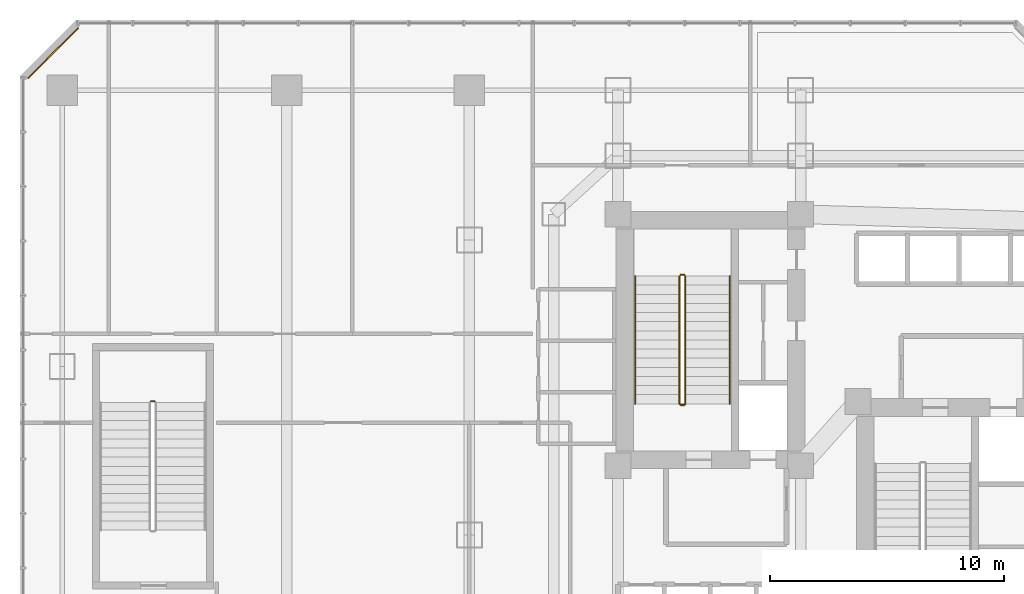
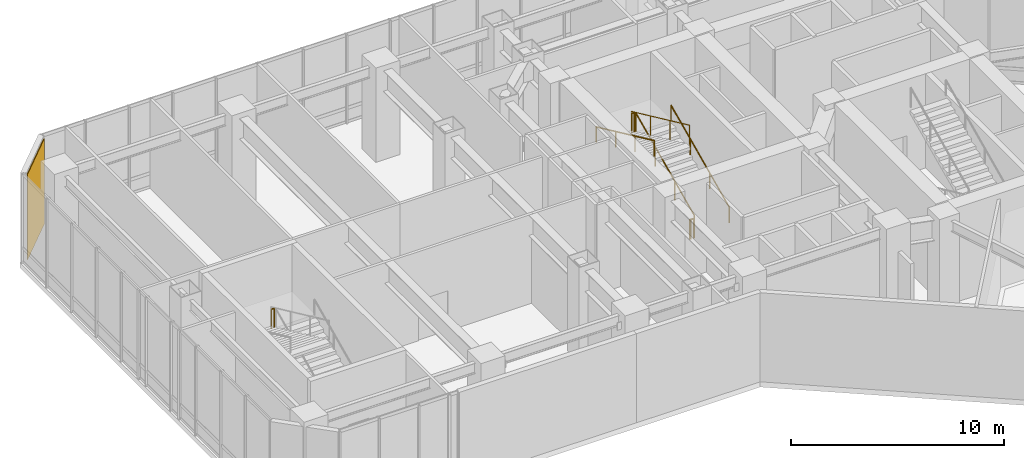
# One storey, part 34 of 35: 8 railings, 1 covering.
"""IFC4 building model written with IfcOpenShell, lengths in metres."""

from ifc_helpers import new_model, si_unit, direction, frame, origin, origin_2d, place, context, subcontext, project, spatial, rectangle, circle, extrude, material, layer, layer_set, type_object, element, save


model = new_model("IFC4")

# Units and contexts
model_context = context("Model", 3, precision=1e-05, world=origin(), true_north=direction((0.0, 1.0)))
body_context = subcontext(model_context, "Body", "Model", "MODEL_VIEW")
ifc_project = project(units=[si_unit("LENGTHUNIT", "METRE"), si_unit("AREAUNIT", "SQUARE_METRE"), si_unit("VOLUMEUNIT", "CUBIC_METRE"), si_unit("PLANEANGLEUNIT", "RADIAN"), si_unit("MASSUNIT", "GRAM", prefix="KILO")], contexts=[model_context])

# Site, building, storey
site_placement = place(None, origin())
site = spatial("IfcSite", under=ifc_project, at=site_placement, CompositionType="ELEMENT")
building_placement = place(site_placement, origin())
building = spatial("IfcBuilding", under=site, at=building_placement, Name="Hatsunagi Terrace Concourse", CompositionType="ELEMENT")
storey_placement = place(building_placement, frame((0.0, 0.0, 16.199951171875)))
storey = spatial("IfcBuildingStorey", under=building, at=storey_placement, Name="L04", CompositionType="ELEMENT", Elevation=16.199951171875)

# Railings
ifc_material_1 = material(Name="Stainless steel", Category="steel")
ifc_layer_1 = layer(ifc_material_1, 0.044921875)
ifc_layer_set_1 = layer_set([ifc_layer_1], Name="StairPitchHandrail_Tower2000")
railing_type_1 = type_object("IfcRailingType", Name="StairPitchHandrail_Tower2000", PredefinedType="HANDRAIL", material=ifc_layer_set_1)
railing_1_placement = place(storey_placement, frame((30.330078125, 35.199951171875, 0.179931640625)))
element("IfcRailing", 1, at=railing_1_placement, inside=storey, type_object=railing_type_1, Name="L04 ST-A stair handrail 1", PredefinedType="HANDRAIL", context=body_context, shape_type="SweptSolid", body=[
    extrude(circle(Radius=0.02392578125, at=origin_2d()), frame((0.0, 0.0, 0.8759765625), z_axis=(0.0, 0.907957007956, 0.419063326602), x_axis=(-1.0, 0.0, 0.0)), (0.0, 0.0, 1.0), 6.013427734375),
    extrude(circle(Radius=0.02099609375, at=origin_2d()), origin(), (0.0, 0.0, 1.0), 0.851806640625),
    extrude(circle(Radius=0.02099609375, at=origin_2d()), frame((0.0, 1.820068359375, 0.840087890625)), (0.0, 0.0, 1.0), 0.851806640625),
    extrude(circle(Radius=0.02099609375, at=origin_2d()), frame((0.0, 3.639892578125, 1.679931640625)), (0.0, 0.0, 1.0), 0.851806640625),
    extrude(circle(Radius=0.02099609375, at=origin_2d()), frame((0.0, 5.4599609375, 2.52001953125)), (0.0, 0.0, 1.0), 0.851806640625),
])
railing_2_placement = place(storey_placement, frame((26.280029296875, 40.659912109375, 2.880126953125)))
element("IfcRailing", 2, at=railing_2_placement, inside=storey, type_object=railing_type_1, Name="L04 ST-A stair handrail 2", PredefinedType="HANDRAIL", context=body_context, shape_type="SweptSolid", body=[
    extrude(circle(Radius=0.02392578125, at=origin_2d()), frame((0.0, 0.0, 0.8759765625), z_axis=(0.0, -0.907957007956, 0.419063326602), x_axis=(1.0, 0.0, 0.0)), (0.0, 0.0, 1.0), 6.013427734375),
    extrude(circle(Radius=0.02099609375, at=origin_2d()), origin(), (0.0, 0.0, 1.0), 0.851806640625),
    extrude(circle(Radius=0.02099609375, at=origin_2d()), frame((0.0, -1.820068359375, 0.840087890625)), (0.0, 0.0, 1.0), 0.851806640625),
    extrude(circle(Radius=0.02099609375, at=origin_2d()), frame((0.0, -3.639892578125, 1.679931640625)), (0.0, 0.0, 1.0), 0.851806640625),
    extrude(circle(Radius=0.02099609375, at=origin_2d()), frame((0.0, -5.4599609375, 2.52001953125)), (0.0, 0.0, 1.0), 0.851806640625),
])
ifc_material_2 = material(Name="Stainless steel", Category="steel")
ifc_layer_2 = layer(ifc_material_2, 0.06494140625)
ifc_layer_set_2 = layer_set([ifc_layer_2], Name="StairWellGuard_Podium2200")
railing_type_2 = type_object("IfcRailingType", Name="StairWellGuard_Podium2200", PredefinedType="BALUSTRADE", material=ifc_layer_set_2)
railing_3_placement = place(storey_placement, frame((5.75, 35.31005859375, 2.699951171875)))
element("IfcRailing", 3, at=railing_3_placement, inside=storey, type_object=railing_type_2, Name="L04 ST-P1 stair guard 2", PredefinedType="BALUSTRADE", context=body_context, shape_type="SweptSolid", body=[
    extrude(circle(Radius=0.02392578125, at=origin_2d()), frame((0.0, 0.0, 1.09619140625), z_axis=(-1.0, 0.0, 0.0), x_axis=(0.0, -1.0, 0.0)), (0.0, 0.0, 1.0), 0.14990234375),
    extrude(circle(Radius=0.02099609375, at=origin_2d()), origin(), (0.0, 0.0, 1.0), 1.072021484375),
    extrude(circle(Radius=0.02099609375, at=origin_2d()), frame((-0.14990234375, 0.0, 0.0)), (0.0, 0.0, 1.0), 1.072021484375),
])
ifc_material_3 = material(Name="Stainless steel", Category="steel")
ifc_layer_3 = layer(ifc_material_3, 0.06005859375)
ifc_layer_set_3 = layer_set([ifc_layer_3], Name="StairWellGuard_Tower2000")
railing_type_3 = type_object("IfcRailingType", Name="StairWellGuard_Tower2000", PredefinedType="BALUSTRADE", material=ifc_layer_set_3)
railing_4_placement = place(storey_placement, frame((28.429931640625, 35.199951171875, 0.179931640625)))
element("IfcRailing", 4, at=railing_4_placement, inside=storey, type_object=railing_type_3, Name="L04 ST-A stair guard 1", PredefinedType="BALUSTRADE", context=body_context, shape_type="SweptSolid", body=[
    extrude(circle(Radius=0.02392578125, at=origin_2d()), frame((0.0, 0.0, 1.09619140625), z_axis=(0.0, 0.907957007956, 0.419063326602), x_axis=(-1.0, 0.0, 0.0)), (0.0, 0.0, 1.0), 6.013427734375),
    extrude(circle(Radius=0.02099609375, at=origin_2d()), origin(), (0.0, 0.0, 1.0), 1.072021484375),
    extrude(circle(Radius=0.02099609375, at=origin_2d()), frame((0.0, 1.820068359375, 0.840087890625)), (0.0, 0.0, 1.0), 1.072021484375),
    extrude(circle(Radius=0.02099609375, at=origin_2d()), frame((0.0, 3.639892578125, 1.679931640625)), (0.0, 0.0, 1.0), 1.072021484375),
    extrude(circle(Radius=0.02099609375, at=origin_2d()), frame((0.0, 5.4599609375, 2.52001953125)), (0.0, 0.0, 1.0), 1.072021484375),
])
railing_5_placement = place(storey_placement, frame((28.3798828125, 40.7099609375, 2.699951171875)))
element("IfcRailing", 5, at=railing_5_placement, inside=storey, type_object=railing_type_3, Name="L04 ST-A stair guard 2", PredefinedType="BALUSTRADE", context=body_context, shape_type="SweptSolid", body=[
    extrude(circle(Radius=0.02392578125, at=origin_2d()), frame((0.0, 0.0, 1.09619140625), z_axis=(-1.0, 0.0, 0.0), x_axis=(0.0, -1.0, 0.0)), (0.0, 0.0, 1.0), 0.14990234375),
    extrude(circle(Radius=0.02099609375, at=origin_2d()), origin(), (0.0, 0.0, 1.0), 1.072021484375),
    extrude(circle(Radius=0.02099609375, at=origin_2d()), frame((-0.14990234375, 0.0, 0.0)), (0.0, 0.0, 1.0), 1.072021484375),
])
railing_6_placement = place(storey_placement, frame((28.179931640625, 40.659912109375, 2.880126953125)))
element("IfcRailing", 6, at=railing_6_placement, inside=storey, type_object=railing_type_3, Name="L04 ST-A stair guard 3", PredefinedType="BALUSTRADE", context=body_context, shape_type="SweptSolid", body=[
    extrude(circle(Radius=0.02392578125, at=origin_2d()), frame((0.0, 0.0, 1.09619140625), z_axis=(0.0, -0.907957007956, 0.419063326602), x_axis=(1.0, 0.0, 0.0)), (0.0, 0.0, 1.0), 6.013427734375),
    extrude(circle(Radius=0.02099609375, at=origin_2d()), origin(), (0.0, 0.0, 1.0), 1.072021484375),
    extrude(circle(Radius=0.02099609375, at=origin_2d()), frame((0.0, -1.820068359375, 0.840087890625)), (0.0, 0.0, 1.0), 1.072021484375),
    extrude(circle(Radius=0.02099609375, at=origin_2d()), frame((0.0, -3.639892578125, 1.679931640625)), (0.0, 0.0, 1.0), 1.072021484375),
    extrude(circle(Radius=0.02099609375, at=origin_2d()), frame((0.0, -5.4599609375, 2.52001953125)), (0.0, 0.0, 1.0), 1.072021484375),
])
railing_7_placement = place(storey_placement, frame((28.3798828125, 35.14990234375, 0.0)))
element("IfcRailing", 7, at=railing_7_placement, inside=storey, type_object=railing_type_3, Name="L04 ST-A stair guard 4", PredefinedType="BALUSTRADE", context=body_context, shape_type="SweptSolid", body=[
    extrude(circle(Radius=0.02392578125, at=origin_2d()), frame((0.0, 0.0, 1.09619140625), z_axis=(-1.0, 0.0, 0.0), x_axis=(0.0, -1.0, 0.0)), (0.0, 0.0, 1.0), 0.14990234375),
    extrude(circle(Radius=0.02099609375, at=origin_2d()), origin(), (0.0, 0.0, 1.0), 1.072021484375),
    extrude(circle(Radius=0.02099609375, at=origin_2d()), frame((-0.14990234375, 0.0, 0.0)), (0.0, 0.0, 1.0), 1.072021484375),
])
ifc_material_4 = material(Name="Stainless Steel SUS316 Post-and-Rail Guard", Category="steel")
ifc_layer_4 = layer(ifc_material_4, 0.080078125)
ifc_layer_set_4 = layer_set([ifc_layer_4], Name="TerracePlantedGuardRail_1200")
railing_type_4 = type_object("IfcRailingType", Name="TerracePlantedGuardRail_1200", PredefinedType="GUARDRAIL", material=ifc_layer_set_4)
railing_8_placement = place(storey_placement, frame((28.179931640625, 35.179931640625, 0.0)))
element("IfcRailing", 8, at=railing_8_placement, inside=storey, type_object=railing_type_4, Name="Stair ST-A Well Closure Guard L04", PredefinedType="GUARDRAIL", context=body_context, shape_type="SweptSolid", body=[
    extrude(circle(Radius=0.02392578125, at=origin_2d()), frame((0.0, 0.0, 1.09619140625), z_axis=(1.0, 0.0, 0.0), x_axis=(0.0, 1.0, 0.0)), (0.0, 0.0, 1.0), 0.25),
    extrude(circle(Radius=0.02099609375, at=origin_2d()), origin(), (0.0, 0.0, 1.0), 1.072021484375),
    extrude(circle(Radius=0.02099609375, at=origin_2d()), frame((0.25, 0.0, 0.0)), (0.0, 0.0, 1.0), 1.072021484375),
])

# Covering
ifc_material_5 = material(Name="Unglazed Warm Terracotta Rainscreen Tile", Category="masonry")
ifc_layer_5 = layer(ifc_material_5, 0.044921875)
ifc_layer_set_5 = layer_set([ifc_layer_5], Name="TerracottaRainscreenCladding_45")
covering_type = type_object("IfcCoveringType", Name="TerracottaRainscreenCladding_45", PredefinedType="CLADDING", material=ifc_layer_set_5)
covering_placement = place(storey_placement, frame((1.4140625, 50.18603515625, 0.10009765625), z_axis=(0.0, 0.0, 1.0), x_axis=(0.707106781187, 0.707106781187, 0.0)))
element("IfcCovering", 9, at=covering_placement, inside=storey, type_object=covering_type, Name="Terracotta Rainscreen Cladding L04-11", PredefinedType="CLADDING", context=body_context, shape_type="SweptSolid", body=[
    extrude(rectangle(XDim=3.0380859375, YDim=0.044921875, at=origin_2d()), origin(), (0.0, 0.0, 1.0), 4.89990234375),
])

save(model, "model.ifc")
